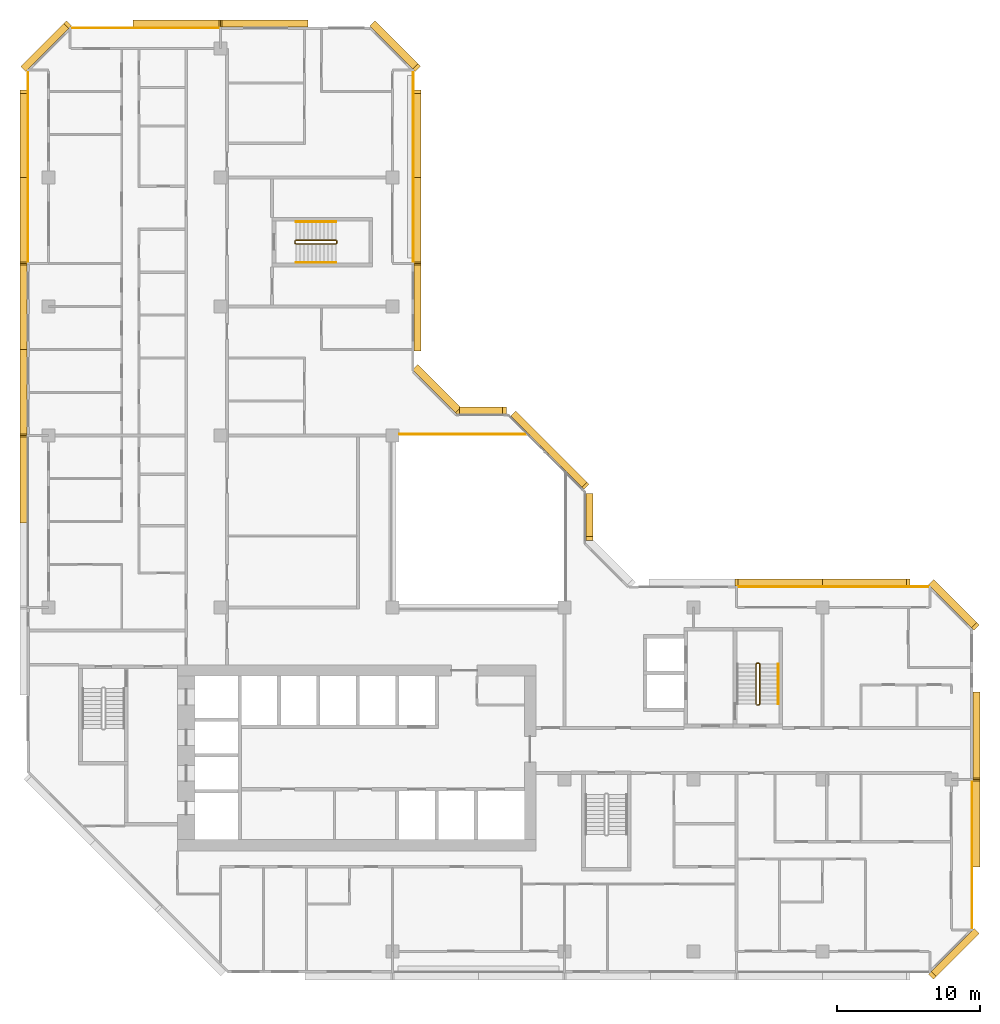
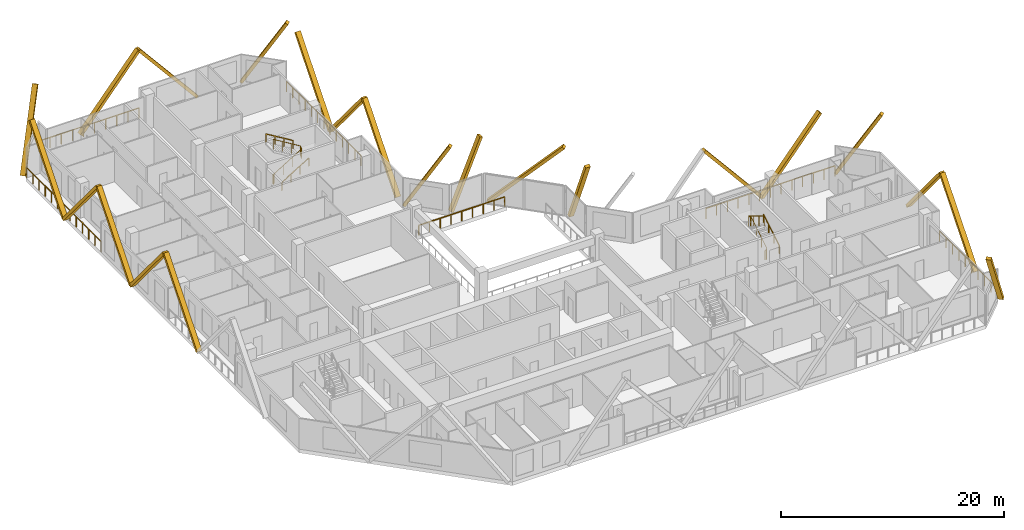
# One storey, part 15 of 15: 22 coverings, 11 railings.
"""IFC4 building model written with IfcOpenShell, lengths in metres."""

import ifcopenshell
import ifcopenshell.guid

model = None  # the IFC model being written
_history = None  # IfcOwnerHistory: only IFC2X3 demands one
_inside = {}  # id of a spatial element -> (the spatial element, [elements in it])
_under = {}  # id of a project, library or spatial element -> (it, [spatial elements below it])
_declared = {}  # id of a project -> (the project, [libraries it declares])
_typed = {}  # id of a type object -> (the type object, [elements of that type])
_made_of = {}  # id of a material, layer set ... -> (it, [elements and type objects made of it])


def new_model(schema):
    """Start an empty IFC model of exactly this schema.

    Asked for "IFC4X3", IfcOpenShell would pick the latest addendum, in which some entities
    have other attributes; the version numbers below select the first issue.
    IFC2X3 requires an IfcOwnerHistory on every rooted entity: one is made here for all.
    """
    global model, _history
    if schema == "IFC4X3":
        model = ifcopenshell.file(schema_version=(4, 3, 0, 0))
    else:
        model = ifcopenshell.file(schema=schema)
    _inside.clear()
    _under.clear()
    _declared.clear()
    _typed.clear()
    _made_of.clear()
    _history = None
    if model.schema == "IFC2X3":
        org = make("IfcOrganization", Name="unknown")
        user = make(
            "IfcPersonAndOrganization",
            ThePerson=make("IfcPerson", FamilyName="unknown"),
            TheOrganization=org,
        )
        app = make(
            "IfcApplication",
            ApplicationDeveloper=org,
            Version="unknown",
            ApplicationFullName="unknown",
            ApplicationIdentifier="unknown",
        )
        _history = make(
            "IfcOwnerHistory",
            OwningUser=user,
            OwningApplication=app,
            ChangeAction="ADDED",
            CreationDate=0,
        )
    return model


def make(cls, **values):
    """One entity of the class cls with the attributes given. An attribute that is None is left unset."""
    return model.create_entity(
        cls, **{name: value for name, value in values.items() if value is not None}
    )


def rooted(cls, **values):
    """An entity with a GlobalId (a new one), such as an element, a storey or a relation."""
    return make(cls, GlobalId=ifcopenshell.guid.new(), OwnerHistory=_history, **values)


def si_unit(unit_type, name, prefix=None):
    """IfcSIUnit, for example si_unit("LENGTHUNIT", "METRE", prefix="MILLI")."""
    return make("IfcSIUnit", UnitType=unit_type, Prefix=prefix, Name=name)


def assignment(units):
    """IfcUnitAssignment: the units of a project."""
    return None if units is None else make("IfcUnitAssignment", Units=units)


def point(xyz):
    """IfcCartesianPoint."""
    return None if xyz is None else make("IfcCartesianPoint", Coordinates=xyz)


def direction(xyz):
    """IfcDirection."""
    return None if xyz is None else make("IfcDirection", DirectionRatios=xyz)


def frame(location, z_axis=None, x_axis=None):
    """IfcAxis2Placement3D, a coordinate frame: its origin and axes. An axis left out is left unset."""
    return make(
        "IfcAxis2Placement3D",
        Location=point(location),
        Axis=direction(z_axis),
        RefDirection=direction(x_axis),
    )


def frame_2d(location, x_axis=None):
    """IfcAxis2Placement2D, a coordinate frame in the plane: its origin and x axis."""
    return make(
        "IfcAxis2Placement2D", Location=point(location), RefDirection=direction(x_axis)
    )


def origin():
    """The frame at (0, 0, 0) with its axes left unset."""
    return frame((0.0, 0.0, 0.0))


def origin_2d():
    """The frame at (0, 0) in the plane with its x axis left unset."""
    return frame_2d((0.0, 0.0))


def place(relative_to, where):
    """IfcLocalPlacement: puts the frame where relative to a parent placement (None: the world)."""
    return make(
        "IfcLocalPlacement", PlacementRelTo=relative_to, RelativePlacement=where
    )


def context(
    kind, dimensions, precision=None, world=None, true_north=None, identifier=None
):
    """IfcGeometricRepresentationContext, for example the 3D "Model" context."""
    return make(
        "IfcGeometricRepresentationContext",
        ContextIdentifier=identifier,
        ContextType=kind,
        CoordinateSpaceDimension=dimensions,
        Precision=precision,
        WorldCoordinateSystem=world,
        TrueNorth=true_north,
    )


def subcontext(parent, identifier, kind, view, scale=None):
    """IfcGeometricRepresentationSubContext, for example "Body" below "Model"."""
    return make(
        "IfcGeometricRepresentationSubContext",
        ContextIdentifier=identifier,
        ContextType=kind,
        ParentContext=parent,
        TargetScale=scale,
        TargetView=view,
    )


def project(units=None, contexts=None):
    """IfcProject with its units and contexts."""
    return rooted(
        "IfcProject",
        Name="project",
        RepresentationContexts=contexts,
        UnitsInContext=assignment(units),
    )


def spatial(cls, under=None, at=None, **own):
    """A site, building, storey or space (cls), placed at a placement, below another one or the project."""
    s = rooted(cls, ObjectPlacement=at, **own)
    if under is not None:
        _under.setdefault(under.id(), (under, []))[1].append(s)
    return s


def profile(cls, at=None, kind="AREA", **sizes):
    """A parametric profile (cls). Its sizes go by their IFC names, for example OverallWidth=200.0."""
    return make(cls, ProfileType=kind, Position=at, **sizes)


def rectangle(**sizes):
    """IfcRectangleProfileDef."""
    return profile("IfcRectangleProfileDef", **sizes)


def extrude(swept, where, along, depth):
    """IfcExtrudedAreaSolid: the profile swept, set in the frame where, extruded along a direction by depth."""
    return make(
        "IfcExtrudedAreaSolid",
        SweptArea=swept,
        Position=where,
        ExtrudedDirection=direction(along),
        Depth=depth,
    )


def shape(context_of_items, identifier, shape_type, items):
    """IfcShapeRepresentation: the items that make up one representation, for example the "Body"."""
    return make(
        "IfcShapeRepresentation",
        ContextOfItems=context_of_items,
        RepresentationIdentifier=identifier,
        RepresentationType=shape_type,
        Items=items,
    )


def material(Name=None, Category=None):
    """IfcMaterial."""
    return make("IfcMaterial", Name=Name, Category=Category)


def material_profile(
    of_material, cross_section, Name=None, Category=None, Priority=None
):
    """IfcMaterialProfile: a cross section and its material."""
    return make(
        "IfcMaterialProfile",
        Name=Name,
        Material=of_material,
        Profile=cross_section,
        Priority=Priority,
        Category=Category,
    )


def profile_set(profiles, Name=None, composite=None):
    """IfcMaterialProfileSet."""
    return make(
        "IfcMaterialProfileSet",
        Name=Name,
        MaterialProfiles=profiles,
        CompositeProfile=composite,
    )


def made_of(thing, what):
    """Note that an element or type object is made of a material, layer set ...; save() writes the relation."""
    if what is not None:
        _made_of.setdefault(what.id(), (what, []))[1].append(thing)
    return thing


def type_object(cls, material=None, **own):
    """A type object (cls), such as IfcWallType, which elements share."""
    return made_of(rooted(cls, **own), material)


def element(
    cls,
    number,
    at=None,
    inside=None,
    cuts=None,
    type_object=None,
    material=None,
    context=None,
    identifier="Body",
    shape_type=None,
    held_by="IfcProductDefinitionShape",
    body=None,
    shapes=None,
    **own,
):
    """One element of the class cls, such as IfcWall. Its Tag is "e" and its number.

    at: its placement. inside: the storey or other place that contains it. cuts: it is an
    opening in that element (IfcRelVoidsElement). A single representation is given by context,
    identifier, shape_type and body (its items); several are given by shapes. held_by: the class
    of the entity that holds the representations. save() writes the other relations.
    """
    e = rooted(cls, Tag="e%d" % number, ObjectPlacement=at, **own)
    if body is not None:
        shapes = [shape(context, identifier, shape_type, body)]
    if shapes is not None:
        e.Representation = make(held_by, Representations=shapes)
    if inside is not None:
        _inside.setdefault(inside.id(), (inside, []))[1].append(e)
    if cuts is not None:
        rooted(
            "IfcRelVoidsElement", RelatingBuildingElement=cuts, RelatedOpeningElement=e
        )
    if type_object is not None:
        _typed.setdefault(type_object.id(), (type_object, []))[1].append(e)
    return made_of(e, material)


def aggregate(whole, parts):
    """IfcRelAggregates: a whole, such as a stair, and the parts it consists of."""
    return rooted("IfcRelAggregates", RelatingObject=whole, RelatedObjects=parts)


def save(model, path):
    """Write the relations noted so far, then the file.

    IfcRelAggregates (storeys below a building ...), IfcRelContainedInSpatialStructure (elements
    in a storey), IfcRelDefinesByType, IfcRelAssociatesMaterial and IfcRelDeclares: one each for
    every whole, place, type object, material and project.
    """
    for whole, parts in _under.values():
        aggregate(whole, parts)
    for where, things in _inside.values():
        rooted(
            "IfcRelContainedInSpatialStructure",
            RelatedElements=things,
            RelatingStructure=where,
        )
    for kind, things in _typed.values():
        rooted("IfcRelDefinesByType", RelatedObjects=things, RelatingType=kind)
    for what, things in _made_of.values():
        rooted("IfcRelAssociatesMaterial", RelatedObjects=things, RelatingMaterial=what)
    for by, libraries in _declared.values():
        rooted("IfcRelDeclares", RelatingContext=by, RelatedDefinitions=libraries)
    model.write(path)


model = new_model("IFC4")

# Units and contexts
model_context = context("Model", 3, precision=1e-05, world=origin(), true_north=direction((0.0, 1.0)))
body_context = subcontext(model_context, "Body", "Model", "MODEL_VIEW")
ifc_project = project(units=[si_unit("LENGTHUNIT", "METRE"), si_unit("AREAUNIT", "SQUARE_METRE"), si_unit("VOLUMEUNIT", "CUBIC_METRE"), si_unit("PLANEANGLEUNIT", "RADIAN"), si_unit("MASSUNIT", "GRAM", prefix="KILO")], contexts=[model_context])

# Site, building, storey
site_placement = place(None, origin())
site = spatial("IfcSite", under=ifc_project, at=site_placement, CompositionType="ELEMENT")
building_placement = place(site_placement, origin())
building = spatial("IfcBuilding", under=site, at=building_placement, Name="Chenar Terraces", CompositionType="ELEMENT")
storey_placement = place(building_placement, frame((0.0, 0.0, 172.39990234375)))
storey = spatial("IfcBuildingStorey", under=building, at=storey_placement, Name="L39", CompositionType="ELEMENT", Elevation=172.39990234375)

# Railings
ifc_material_1 = material(Name="Powder-coated steel", Category="steel")
railing_type_1 = type_object("IfcRailingType", Name="Guard 1100 steel rail with glass infill", PredefinedType="GUARDRAIL", material=ifc_material_1)
railing_1_placement = place(storey_placement, frame((24.5, 36.10009765625, 0.0)))
element("IfcRailing", 1, at=railing_1_placement, inside=storey, type_object=railing_type_1, Name="Guard L39-2", PredefinedType="GUARDRAIL", context=body_context, shape_type="SweptSolid", body=[
    extrude(rectangle(XDim=0.06005859375, YDim=0.06005859375, at=origin_2d()), frame((0.0, 0.0, 1.070068359375), z_axis=(1.0, 0.0, 0.0), x_axis=(0.0, 1.0, 0.0)), (0.0, 0.0, 1.0), 8.89990234375),
    extrude(rectangle(XDim=0.050048828125, YDim=0.050048828125, at=origin_2d()), origin(), (0.0, 0.0, 1.0), 1.0400390625),
    extrude(rectangle(XDim=0.050048828125, YDim=0.050048828125, at=origin_2d()), frame((1.112548828125, 0.0, 0.0)), (0.0, 0.0, 1.0), 1.0400390625),
    extrude(rectangle(XDim=0.050048828125, YDim=0.050048828125, at=origin_2d()), frame((2.22509765625, 0.0, 0.0)), (0.0, 0.0, 1.0), 1.0400390625),
    extrude(rectangle(XDim=0.050048828125, YDim=0.050048828125, at=origin_2d()), frame((3.33740234375, 0.0, 0.0)), (0.0, 0.0, 1.0), 1.0400390625),
    extrude(rectangle(XDim=0.050048828125, YDim=0.050048828125, at=origin_2d()), frame((4.449951171875, 0.0, 0.0)), (0.0, 0.0, 1.0), 1.0400390625),
    extrude(rectangle(XDim=0.050048828125, YDim=0.050048828125, at=origin_2d()), frame((5.5625, 0.0, 0.0)), (0.0, 0.0, 1.0), 1.0400390625),
    extrude(rectangle(XDim=0.050048828125, YDim=0.050048828125, at=origin_2d()), frame((6.6748046875, 0.0, 0.0)), (0.0, 0.0, 1.0), 1.0400390625),
    extrude(rectangle(XDim=0.050048828125, YDim=0.050048828125, at=origin_2d()), frame((7.787353515625, 0.0, 0.0)), (0.0, 0.0, 1.0), 1.0400390625),
    extrude(rectangle(XDim=0.050048828125, YDim=0.050048828125, at=origin_2d()), frame((8.89990234375, 0.0, 0.0)), (0.0, 0.0, 1.0), 1.0400390625),
])
ifc_material_2 = material(Name="Stainless steel and glass", Category="steel")
railing_type_2 = type_object("IfcRailingType", Name="Loggia guard 1150", PredefinedType="GUARDRAIL", material=ifc_material_2)
railing_2_placement = place(storey_placement, frame((25.449951171875, 48.074951171875, 0.0)))
element("IfcRailing", 2, at=railing_2_placement, inside=storey, type_object=railing_type_2, Name="Loggia guard", PredefinedType="GUARDRAIL", context=body_context, shape_type="SweptSolid", body=[
    extrude(rectangle(XDim=0.048095703125, YDim=0.048095703125, at=origin_2d()), frame((0.0, 0.0, 1.1259765625), z_axis=(0.0, 1.0, 0.0), x_axis=(-1.0, 0.0, 0.0)), (0.0, 0.0, 1.0), 13.35009765625),
    extrude(rectangle(XDim=0.0419921875, YDim=0.0419921875, at=origin_2d()), origin(), (0.0, 0.0, 1.0), 1.101806640625),
    extrude(rectangle(XDim=0.0419921875, YDim=0.0419921875, at=origin_2d()), frame((0.0, 1.112548828125, 0.0)), (0.0, 0.0, 1.0), 1.101806640625),
    extrude(rectangle(XDim=0.0419921875, YDim=0.0419921875, at=origin_2d()), frame((0.0, 2.22509765625, 0.0)), (0.0, 0.0, 1.0), 1.101806640625),
    extrude(rectangle(XDim=0.0419921875, YDim=0.0419921875, at=origin_2d()), frame((0.0, 3.33740234375, 0.0)), (0.0, 0.0, 1.0), 1.101806640625),
    extrude(rectangle(XDim=0.0419921875, YDim=0.0419921875, at=origin_2d()), frame((0.0, 4.449951171875, 0.0)), (0.0, 0.0, 1.0), 1.101806640625),
    extrude(rectangle(XDim=0.0419921875, YDim=0.0419921875, at=origin_2d()), frame((0.0, 5.5625, 0.0)), (0.0, 0.0, 1.0), 1.101806640625),
    extrude(rectangle(XDim=0.0419921875, YDim=0.0419921875, at=origin_2d()), frame((0.0, 6.675048828125, 0.0)), (0.0, 0.0, 1.0), 1.101806640625),
    extrude(rectangle(XDim=0.0419921875, YDim=0.0419921875, at=origin_2d()), frame((0.0, 7.78759765625, 0.0)), (0.0, 0.0, 1.0), 1.101806640625),
    extrude(rectangle(XDim=0.0419921875, YDim=0.0419921875, at=origin_2d()), frame((0.0, 8.900146484375, 0.0)), (0.0, 0.0, 1.0), 1.101806640625),
    extrude(rectangle(XDim=0.0419921875, YDim=0.0419921875, at=origin_2d()), frame((0.0, 10.0126953125, 0.0)), (0.0, 0.0, 1.0), 1.101806640625),
    extrude(rectangle(XDim=0.0419921875, YDim=0.0419921875, at=origin_2d()), frame((0.0, 11.125, 0.0)), (0.0, 0.0, 1.0), 1.101806640625),
    extrude(rectangle(XDim=0.0419921875, YDim=0.0419921875, at=origin_2d()), frame((0.0, 12.237548828125, 0.0)), (0.0, 0.0, 1.0), 1.101806640625),
    extrude(rectangle(XDim=0.0419921875, YDim=0.0419921875, at=origin_2d()), frame((0.0, 13.35009765625, 0.0)), (0.0, 0.0, 1.0), 1.101806640625),
])
railing_3_placement = place(storey_placement, frame((64.449951171875, 1.574951171875, 0.0)))
element("IfcRailing", 3, at=railing_3_placement, inside=storey, type_object=railing_type_2, Name="Loggia guard", PredefinedType="GUARDRAIL", context=body_context, shape_type="SweptSolid", body=[
    extrude(rectangle(XDim=0.048095703125, YDim=0.048095703125, at=origin_2d()), frame((0.0, 0.0, 1.1259765625), z_axis=(0.0, 1.0, 0.0), x_axis=(-1.0, 0.0, 0.0)), (0.0, 0.0, 1.0), 10.35009765625),
    extrude(rectangle(XDim=0.0419921875, YDim=0.0419921875, at=origin_2d()), origin(), (0.0, 0.0, 1.0), 1.101806640625),
    extrude(rectangle(XDim=0.0419921875, YDim=0.0419921875, at=origin_2d()), frame((0.0, 1.14990234375, 0.0)), (0.0, 0.0, 1.0), 1.101806640625),
    extrude(rectangle(XDim=0.0419921875, YDim=0.0419921875, at=origin_2d()), frame((0.0, 2.300048828125, 0.0)), (0.0, 0.0, 1.0), 1.101806640625),
    extrude(rectangle(XDim=0.0419921875, YDim=0.0419921875, at=origin_2d()), frame((0.0, 3.449951171875, 0.0)), (0.0, 0.0, 1.0), 1.101806640625),
    extrude(rectangle(XDim=0.0419921875, YDim=0.0419921875, at=origin_2d()), frame((0.0, 4.60009765625, 0.0)), (0.0, 0.0, 1.0), 1.101806640625),
    extrude(rectangle(XDim=0.0419921875, YDim=0.0419921875, at=origin_2d()), frame((0.0, 5.75, 0.0)), (0.0, 0.0, 1.0), 1.101806640625),
    extrude(rectangle(XDim=0.0419921875, YDim=0.0419921875, at=origin_2d()), frame((0.0, 6.900146484375, 0.0)), (0.0, 0.0, 1.0), 1.101806640625),
    extrude(rectangle(XDim=0.0419921875, YDim=0.0419921875, at=origin_2d()), frame((0.0, 8.050048828125, 0.0)), (0.0, 0.0, 1.0), 1.101806640625),
    extrude(rectangle(XDim=0.0419921875, YDim=0.0419921875, at=origin_2d()), frame((0.0, 9.2001953125, 0.0)), (0.0, 0.0, 1.0), 1.101806640625),
    extrude(rectangle(XDim=0.0419921875, YDim=0.0419921875, at=origin_2d()), frame((0.0, 10.35009765625, 0.0)), (0.0, 0.0, 1.0), 1.101806640625),
])
railing_4_placement = place(storey_placement, frame((61.425048828125, 25.449951171875, 0.0)))
element("IfcRailing", 4, at=railing_4_placement, inside=storey, type_object=railing_type_2, Name="Loggia guard", PredefinedType="GUARDRAIL", context=body_context, shape_type="SweptSolid", body=[
    extrude(rectangle(XDim=0.048095703125, YDim=0.048095703125, at=origin_2d()), frame((0.0, 0.0, 1.1259765625), z_axis=(-1.0, 0.0, 0.0), x_axis=(0.0, -1.0, 0.0)), (0.0, 0.0, 1.0), 13.35009765625),
    extrude(rectangle(XDim=0.0419921875, YDim=0.0419921875, at=origin_2d()), origin(), (0.0, 0.0, 1.0), 1.101806640625),
    extrude(rectangle(XDim=0.0419921875, YDim=0.0419921875, at=origin_2d()), frame((-1.112548828125, 0.0, 0.0)), (0.0, 0.0, 1.0), 1.101806640625),
    extrude(rectangle(XDim=0.0419921875, YDim=0.0419921875, at=origin_2d()), frame((-2.22509765625, 0.0, 0.0)), (0.0, 0.0, 1.0), 1.101806640625),
    extrude(rectangle(XDim=0.0419921875, YDim=0.0419921875, at=origin_2d()), frame((-3.33740234375, 0.0, 0.0)), (0.0, 0.0, 1.0), 1.101806640625),
    extrude(rectangle(XDim=0.0419921875, YDim=0.0419921875, at=origin_2d()), frame((-4.449951171875, 0.0, 0.0)), (0.0, 0.0, 1.0), 1.101806640625),
    extrude(rectangle(XDim=0.0419921875, YDim=0.0419921875, at=origin_2d()), frame((-5.5625, 0.0, 0.0)), (0.0, 0.0, 1.0), 1.101806640625),
    extrude(rectangle(XDim=0.0419921875, YDim=0.0419921875, at=origin_2d()), frame((-6.675048828125, 0.0, 0.0)), (0.0, 0.0, 1.0), 1.101806640625),
    extrude(rectangle(XDim=0.0419921875, YDim=0.0419921875, at=origin_2d()), frame((-7.78759765625, 0.0, 0.0)), (0.0, 0.0, 1.0), 1.101806640625),
    extrude(rectangle(XDim=0.0419921875, YDim=0.0419921875, at=origin_2d()), frame((-8.900146484375, 0.0, 0.0)), (0.0, 0.0, 1.0), 1.101806640625),
    extrude(rectangle(XDim=0.0419921875, YDim=0.0419921875, at=origin_2d()), frame((-10.0126953125, 0.0, 0.0)), (0.0, 0.0, 1.0), 1.101806640625),
    extrude(rectangle(XDim=0.0419921875, YDim=0.0419921875, at=origin_2d()), frame((-11.125, 0.0, 0.0)), (0.0, 0.0, 1.0), 1.101806640625),
    extrude(rectangle(XDim=0.0419921875, YDim=0.0419921875, at=origin_2d()), frame((-12.237548828125, 0.0, 0.0)), (0.0, 0.0, 1.0), 1.101806640625),
    extrude(rectangle(XDim=0.0419921875, YDim=0.0419921875, at=origin_2d()), frame((-13.35009765625, 0.0, 0.0)), (0.0, 0.0, 1.0), 1.101806640625),
])
railing_5_placement = place(storey_placement, frame((11.925048828125, 64.449951171875, 0.0)))
element("IfcRailing", 5, at=railing_5_placement, inside=storey, type_object=railing_type_2, Name="Loggia guard", PredefinedType="GUARDRAIL", context=body_context, shape_type="SweptSolid", body=[
    extrude(rectangle(XDim=0.048095703125, YDim=0.048095703125, at=origin_2d()), frame((0.0, 0.0, 1.1259765625), z_axis=(-1.0, 0.0, 0.0), x_axis=(0.0, -1.0, 0.0)), (0.0, 0.0, 1.0), 10.35009765625),
    extrude(rectangle(XDim=0.0419921875, YDim=0.0419921875, at=origin_2d()), origin(), (0.0, 0.0, 1.0), 1.101806640625),
    extrude(rectangle(XDim=0.0419921875, YDim=0.0419921875, at=origin_2d()), frame((-1.14990234375, 0.0, 0.0)), (0.0, 0.0, 1.0), 1.101806640625),
    extrude(rectangle(XDim=0.0419921875, YDim=0.0419921875, at=origin_2d()), frame((-2.300048828125, 0.0, 0.0)), (0.0, 0.0, 1.0), 1.101806640625),
    extrude(rectangle(XDim=0.0419921875, YDim=0.0419921875, at=origin_2d()), frame((-3.449951171875, 0.0, 0.0)), (0.0, 0.0, 1.0), 1.101806640625),
    extrude(rectangle(XDim=0.0419921875, YDim=0.0419921875, at=origin_2d()), frame((-4.60009765625, 0.0, 0.0)), (0.0, 0.0, 1.0), 1.101806640625),
    extrude(rectangle(XDim=0.0419921875, YDim=0.0419921875, at=origin_2d()), frame((-5.75, 0.0, 0.0)), (0.0, 0.0, 1.0), 1.101806640625),
    extrude(rectangle(XDim=0.0419921875, YDim=0.0419921875, at=origin_2d()), frame((-6.900146484375, 0.0, 0.0)), (0.0, 0.0, 1.0), 1.101806640625),
    extrude(rectangle(XDim=0.0419921875, YDim=0.0419921875, at=origin_2d()), frame((-8.050048828125, 0.0, 0.0)), (0.0, 0.0, 1.0), 1.101806640625),
    extrude(rectangle(XDim=0.0419921875, YDim=0.0419921875, at=origin_2d()), frame((-9.2001953125, 0.0, 0.0)), (0.0, 0.0, 1.0), 1.101806640625),
    extrude(rectangle(XDim=0.0419921875, YDim=0.0419921875, at=origin_2d()), frame((-10.35009765625, 0.0, 0.0)), (0.0, 0.0, 1.0), 1.101806640625),
])
railing_6_placement = place(storey_placement, frame((-1.449951171875, 61.425048828125, 0.0)))
element("IfcRailing", 6, at=railing_6_placement, inside=storey, type_object=railing_type_2, Name="Loggia guard", PredefinedType="GUARDRAIL", context=body_context, shape_type="SweptSolid", body=[
    extrude(rectangle(XDim=0.048095703125, YDim=0.048095703125, at=origin_2d()), frame((0.0, 0.0, 1.1259765625), z_axis=(0.0, -1.0, 0.0), x_axis=(1.0, 0.0, 0.0)), (0.0, 0.0, 1.0), 13.35009765625),
    extrude(rectangle(XDim=0.0419921875, YDim=0.0419921875, at=origin_2d()), origin(), (0.0, 0.0, 1.0), 1.101806640625),
    extrude(rectangle(XDim=0.0419921875, YDim=0.0419921875, at=origin_2d()), frame((0.0, -1.112548828125, 0.0)), (0.0, 0.0, 1.0), 1.101806640625),
    extrude(rectangle(XDim=0.0419921875, YDim=0.0419921875, at=origin_2d()), frame((0.0, -2.22509765625, 0.0)), (0.0, 0.0, 1.0), 1.101806640625),
    extrude(rectangle(XDim=0.0419921875, YDim=0.0419921875, at=origin_2d()), frame((0.0, -3.33740234375, 0.0)), (0.0, 0.0, 1.0), 1.101806640625),
    extrude(rectangle(XDim=0.0419921875, YDim=0.0419921875, at=origin_2d()), frame((0.0, -4.449951171875, 0.0)), (0.0, 0.0, 1.0), 1.101806640625),
    extrude(rectangle(XDim=0.0419921875, YDim=0.0419921875, at=origin_2d()), frame((0.0, -5.5625, 0.0)), (0.0, 0.0, 1.0), 1.101806640625),
    extrude(rectangle(XDim=0.0419921875, YDim=0.0419921875, at=origin_2d()), frame((0.0, -6.675048828125, 0.0)), (0.0, 0.0, 1.0), 1.101806640625),
    extrude(rectangle(XDim=0.0419921875, YDim=0.0419921875, at=origin_2d()), frame((0.0, -7.78759765625, 0.0)), (0.0, 0.0, 1.0), 1.101806640625),
    extrude(rectangle(XDim=0.0419921875, YDim=0.0419921875, at=origin_2d()), frame((0.0, -8.900146484375, 0.0)), (0.0, 0.0, 1.0), 1.101806640625),
    extrude(rectangle(XDim=0.0419921875, YDim=0.0419921875, at=origin_2d()), frame((0.0, -10.0126953125, 0.0)), (0.0, 0.0, 1.0), 1.101806640625),
    extrude(rectangle(XDim=0.0419921875, YDim=0.0419921875, at=origin_2d()), frame((0.0, -11.125, 0.0)), (0.0, 0.0, 1.0), 1.101806640625),
    extrude(rectangle(XDim=0.0419921875, YDim=0.0419921875, at=origin_2d()), frame((0.0, -12.237548828125, 0.0)), (0.0, 0.0, 1.0), 1.101806640625),
    extrude(rectangle(XDim=0.0419921875, YDim=0.0419921875, at=origin_2d()), frame((0.0, -13.35009765625, 0.0)), (0.0, 0.0, 1.0), 1.101806640625),
])
ifc_material_3 = material(Name="Powder-coated steel", Category="steel")
railing_type_3 = type_object("IfcRailingType", Name="Stair guard 1100", PredefinedType="GUARDRAIL", material=ifc_material_3)
railing_7_placement = place(storey_placement, frame((49.375, 17.25, 3.75)))
element("IfcRailing", 7, at=railing_7_placement, inside=storey, type_object=railing_type_3, Name="L39 ST3 stair guard 1", PredefinedType="GUARDRAIL", context=body_context, shape_type="SweptSolid", body=[
    extrude(rectangle(XDim=0.048095703125, YDim=0.048095703125, at=origin_2d()), frame((0.0, 0.0, 1.076171875), z_axis=(0.0, 0.854202870247, -0.519939858505), x_axis=(-1.0, 0.0, 0.0)), (0.0, 0.0, 1.0), 3.278076171875),
    extrude(rectangle(XDim=0.048095703125, YDim=0.048095703125, at=origin_2d()), frame((0.0, 2.800048828125, -0.62841796875), z_axis=(0.270899902878, 0.270899902878, -0.923702595667), x_axis=(-0.707106781187, 0.707106781187, 0.0)), (0.0, 0.0, 1.0), 0.184814453125),
    extrude(rectangle(XDim=0.048095703125, YDim=0.048095703125, at=origin_2d()), frame((0.050048828125, 2.85009765625, -0.798828125), z_axis=(1.0, 0.0, 0.0), x_axis=(0.0, 1.0, 0.0)), (0.0, 0.0, 1.0), 0.14990234375),
    extrude(rectangle(XDim=0.048095703125, YDim=0.048095703125, at=origin_2d()), frame((0.199951171875, 2.85009765625, -0.798828125), z_axis=(0.707106781187, -0.707106781187, 0.0), x_axis=(0.707106781187, 0.707106781187, 0.0)), (0.0, 0.0, 1.0), 0.07080078125),
    extrude(rectangle(XDim=0.048095703125, YDim=0.048095703125, at=origin_2d()), frame((0.25, 2.800048828125, -0.798828125), z_axis=(0.0, -0.854202870247, -0.519939858505), x_axis=(1.0, 0.0, 0.0)), (0.0, 0.0, 1.0), 3.278076171875),
    extrude(rectangle(XDim=0.048095703125, YDim=0.048095703125, at=origin_2d()), frame((0.25, 0.0, -2.50341796875), z_axis=(-0.270899902878, -0.270899902878, -0.923702595667), x_axis=(0.707106781187, -0.707106781187, 0.0)), (0.0, 0.0, 1.0), 0.184814453125),
    extrude(rectangle(XDim=0.048095703125, YDim=0.048095703125, at=origin_2d()), frame((0.199951171875, -0.050048828125, -2.673828125), z_axis=(-1.0, 0.0, 0.0), x_axis=(0.0, -1.0, 0.0)), (0.0, 0.0, 1.0), 0.14990234375),
    extrude(rectangle(XDim=0.0419921875, YDim=0.0419921875, at=origin_2d()), origin(), (0.0, 0.0, 1.0), 1.052001953125),
    extrude(rectangle(XDim=0.0419921875, YDim=0.0419921875, at=origin_2d()), frame((0.0, 0.933349609375, -0.568115234375)), (0.0, 0.0, 1.0), 1.052001953125),
    extrude(rectangle(XDim=0.0419921875, YDim=0.0419921875, at=origin_2d()), frame((0.0, 1.86669921875, -1.13623046875)), (0.0, 0.0, 1.0), 1.052001953125),
    extrude(rectangle(XDim=0.0419921875, YDim=0.0419921875, at=origin_2d()), frame((0.0, 2.800048828125, -1.704345703125)), (0.0, 0.0, 1.0), 1.052001953125),
    extrude(rectangle(XDim=0.0419921875, YDim=0.0419921875, at=origin_2d()), frame((0.050048828125, 2.85009765625, -1.875)), (0.0, 0.0, 1.0), 1.052001953125),
    extrude(rectangle(XDim=0.0419921875, YDim=0.0419921875, at=origin_2d()), frame((0.199951171875, 2.85009765625, -1.875)), (0.0, 0.0, 1.0), 1.052001953125),
    extrude(rectangle(XDim=0.0419921875, YDim=0.0419921875, at=origin_2d()), frame((0.25, 2.800048828125, -1.875)), (0.0, 0.0, 1.0), 1.052001953125),
    extrude(rectangle(XDim=0.0419921875, YDim=0.0419921875, at=origin_2d()), frame((0.25, 1.86669921875, -2.443115234375)), (0.0, 0.0, 1.0), 1.052001953125),
    extrude(rectangle(XDim=0.0419921875, YDim=0.0419921875, at=origin_2d()), frame((0.25, 0.933349609375, -3.01123046875)), (0.0, 0.0, 1.0), 1.052001953125),
    extrude(rectangle(XDim=0.0419921875, YDim=0.0419921875, at=origin_2d()), frame((0.25, 0.0, -3.579345703125)), (0.0, 0.0, 1.0), 1.052001953125),
    extrude(rectangle(XDim=0.0419921875, YDim=0.0419921875, at=origin_2d()), frame((0.199951171875, -0.050048828125, -3.75)), (0.0, 0.0, 1.0), 1.052001953125),
    extrude(rectangle(XDim=0.0419921875, YDim=0.0419921875, at=origin_2d()), frame((0.050048828125, -0.050048828125, -3.75)), (0.0, 0.0, 1.0), 1.052001953125),
])
railing_8_placement = place(storey_placement, frame((17.25, 49.625, 3.75)))
element("IfcRailing", 8, at=railing_8_placement, inside=storey, type_object=railing_type_3, Name="L39 ST4 stair guard 1", PredefinedType="GUARDRAIL", context=body_context, shape_type="SweptSolid", body=[
    extrude(rectangle(XDim=0.048095703125, YDim=0.048095703125, at=origin_2d()), frame((0.0, 0.0, 1.076171875), z_axis=(0.854202870247, 0.0, -0.519939858505), x_axis=(0.0, 1.0, 0.0)), (0.0, 0.0, 1.0), 3.278076171875),
    extrude(rectangle(XDim=0.048095703125, YDim=0.048095703125, at=origin_2d()), frame((2.800048828125, 0.0, -0.62841796875), z_axis=(0.270899902878, -0.270899902878, -0.923702595667), x_axis=(0.707106781187, 0.707106781187, 0.0)), (0.0, 0.0, 1.0), 0.184814453125),
    extrude(rectangle(XDim=0.048095703125, YDim=0.048095703125, at=origin_2d()), frame((2.85009765625, -0.050048828125, -0.798828125), z_axis=(0.0, -1.0, 0.0), x_axis=(1.0, 0.0, 0.0)), (0.0, 0.0, 1.0), 0.14990234375),
    extrude(rectangle(XDim=0.048095703125, YDim=0.048095703125, at=origin_2d()), frame((2.85009765625, -0.199951171875, -0.798828125), z_axis=(-0.707106781187, -0.707106781187, 0.0), x_axis=(0.707106781187, -0.707106781187, 0.0)), (0.0, 0.0, 1.0), 0.07080078125),
    extrude(rectangle(XDim=0.048095703125, YDim=0.048095703125, at=origin_2d()), frame((2.800048828125, -0.25, -0.798828125), z_axis=(-0.854202870247, 0.0, -0.519939858505), x_axis=(0.0, -1.0, 0.0)), (0.0, 0.0, 1.0), 3.278076171875),
    extrude(rectangle(XDim=0.048095703125, YDim=0.048095703125, at=origin_2d()), frame((0.0, -0.25, -2.50341796875), z_axis=(-0.270899902878, 0.270899902878, -0.923702595667), x_axis=(-0.707106781187, -0.707106781187, 0.0)), (0.0, 0.0, 1.0), 0.184814453125),
    extrude(rectangle(XDim=0.048095703125, YDim=0.048095703125, at=origin_2d()), frame((-0.050048828125, -0.199951171875, -2.673828125), z_axis=(0.0, 1.0, 0.0), x_axis=(-1.0, 0.0, 0.0)), (0.0, 0.0, 1.0), 0.14990234375),
    extrude(rectangle(XDim=0.0419921875, YDim=0.0419921875, at=origin_2d()), origin(), (0.0, 0.0, 1.0), 1.052001953125),
    extrude(rectangle(XDim=0.0419921875, YDim=0.0419921875, at=origin_2d()), frame((0.933349609375, 0.0, -0.568115234375)), (0.0, 0.0, 1.0), 1.052001953125),
    extrude(rectangle(XDim=0.0419921875, YDim=0.0419921875, at=origin_2d()), frame((1.86669921875, 0.0, -1.13623046875)), (0.0, 0.0, 1.0), 1.052001953125),
    extrude(rectangle(XDim=0.0419921875, YDim=0.0419921875, at=origin_2d()), frame((2.800048828125, 0.0, -1.704345703125)), (0.0, 0.0, 1.0), 1.052001953125),
    extrude(rectangle(XDim=0.0419921875, YDim=0.0419921875, at=origin_2d()), frame((2.85009765625, -0.050048828125, -1.875)), (0.0, 0.0, 1.0), 1.052001953125),
    extrude(rectangle(XDim=0.0419921875, YDim=0.0419921875, at=origin_2d()), frame((2.85009765625, -0.199951171875, -1.875)), (0.0, 0.0, 1.0), 1.052001953125),
    extrude(rectangle(XDim=0.0419921875, YDim=0.0419921875, at=origin_2d()), frame((2.800048828125, -0.25, -1.875)), (0.0, 0.0, 1.0), 1.052001953125),
    extrude(rectangle(XDim=0.0419921875, YDim=0.0419921875, at=origin_2d()), frame((1.86669921875, -0.25, -2.443115234375)), (0.0, 0.0, 1.0), 1.052001953125),
    extrude(rectangle(XDim=0.0419921875, YDim=0.0419921875, at=origin_2d()), frame((0.933349609375, -0.25, -3.01123046875)), (0.0, 0.0, 1.0), 1.052001953125),
    extrude(rectangle(XDim=0.0419921875, YDim=0.0419921875, at=origin_2d()), frame((0.0, -0.25, -3.579345703125)), (0.0, 0.0, 1.0), 1.052001953125),
    extrude(rectangle(XDim=0.0419921875, YDim=0.0419921875, at=origin_2d()), frame((-0.050048828125, -0.199951171875, -3.75)), (0.0, 0.0, 1.0), 1.052001953125),
    extrude(rectangle(XDim=0.0419921875, YDim=0.0419921875, at=origin_2d()), frame((-0.050048828125, -0.050048828125, -3.75)), (0.0, 0.0, 1.0), 1.052001953125),
])
ifc_material_4 = material(Name="Powder-coated steel", Category="steel")
railing_type_4 = type_object("IfcRailingType", Name="Stair handrail 900", PredefinedType="HANDRAIL", material=ifc_material_4)
railing_9_placement = place(storey_placement, frame((50.925048828125, 17.25, 0.170654296875)))
element("IfcRailing", 9, at=railing_9_placement, inside=storey, type_object=railing_type_4, Name="L39 ST3 stair handrail 1", PredefinedType="HANDRAIL", context=body_context, shape_type="SweptSolid", body=[
    extrude(rectangle(XDim=0.048095703125, YDim=0.048095703125, at=origin_2d()), frame((0.0, 0.0, 0.8759765625), z_axis=(0.0, 0.854202870247, 0.519939858505), x_axis=(-1.0, 0.0, 0.0)), (0.0, 0.0, 1.0), 3.278076171875),
    extrude(rectangle(XDim=0.0419921875, YDim=0.0419921875, at=origin_2d()), origin(), (0.0, 0.0, 1.0), 0.851806640625),
    extrude(rectangle(XDim=0.0419921875, YDim=0.0419921875, at=origin_2d()), frame((0.0, 0.933349609375, 0.568115234375)), (0.0, 0.0, 1.0), 0.851806640625),
    extrude(rectangle(XDim=0.0419921875, YDim=0.0419921875, at=origin_2d()), frame((0.0, 1.86669921875, 1.13623046875)), (0.0, 0.0, 1.0), 0.851806640625),
    extrude(rectangle(XDim=0.0419921875, YDim=0.0419921875, at=origin_2d()), frame((0.0, 2.800048828125, 1.704345703125)), (0.0, 0.0, 1.0), 0.851806640625),
])
railing_10_placement = place(storey_placement, frame((17.25, 48.074951171875, 0.170654296875)))
element("IfcRailing", 10, at=railing_10_placement, inside=storey, type_object=railing_type_4, Name="L39 ST4 stair handrail 1", PredefinedType="HANDRAIL", context=body_context, shape_type="SweptSolid", body=[
    extrude(rectangle(XDim=0.048095703125, YDim=0.048095703125, at=origin_2d()), frame((0.0, 0.0, 0.8759765625), z_axis=(0.854202870247, 0.0, 0.519939858505), x_axis=(0.0, 1.0, 0.0)), (0.0, 0.0, 1.0), 3.278076171875),
    extrude(rectangle(XDim=0.0419921875, YDim=0.0419921875, at=origin_2d()), origin(), (0.0, 0.0, 1.0), 0.851806640625),
    extrude(rectangle(XDim=0.0419921875, YDim=0.0419921875, at=origin_2d()), frame((0.933349609375, 0.0, 0.568115234375)), (0.0, 0.0, 1.0), 0.851806640625),
    extrude(rectangle(XDim=0.0419921875, YDim=0.0419921875, at=origin_2d()), frame((1.86669921875, 0.0, 1.13623046875)), (0.0, 0.0, 1.0), 0.851806640625),
    extrude(rectangle(XDim=0.0419921875, YDim=0.0419921875, at=origin_2d()), frame((2.800048828125, 0.0, 1.704345703125)), (0.0, 0.0, 1.0), 0.851806640625),
])
railing_11_placement = place(storey_placement, frame((20.050048828125, 50.925048828125, 2.045654296875)))
element("IfcRailing", 11, at=railing_11_placement, inside=storey, type_object=railing_type_4, Name="L39 ST4 stair handrail 2", PredefinedType="HANDRAIL", context=body_context, shape_type="SweptSolid", body=[
    extrude(rectangle(XDim=0.048095703125, YDim=0.048095703125, at=origin_2d()), frame((0.0, 0.0, 0.8759765625), z_axis=(-0.854202870247, 0.0, 0.519939858505), x_axis=(0.0, -1.0, 0.0)), (0.0, 0.0, 1.0), 3.278076171875),
    extrude(rectangle(XDim=0.0419921875, YDim=0.0419921875, at=origin_2d()), origin(), (0.0, 0.0, 1.0), 0.851806640625),
    extrude(rectangle(XDim=0.0419921875, YDim=0.0419921875, at=origin_2d()), frame((-0.933349609375, 0.0, 0.568115234375)), (0.0, 0.0, 1.0), 0.851806640625),
    extrude(rectangle(XDim=0.0419921875, YDim=0.0419921875, at=origin_2d()), frame((-1.86669921875, 0.0, 1.13623046875)), (0.0, 0.0, 1.0), 0.851806640625),
    extrude(rectangle(XDim=0.0419921875, YDim=0.0419921875, at=origin_2d()), frame((-2.800048828125, 0.0, 1.704345703125)), (0.0, 0.0, 1.0), 0.851806640625),
])

# Coverings
ifc_material_5 = material(Name="Terracotta", Category="masonry")
ifc_material_profile = material_profile(ifc_material_5, rectangle(XDim=0.5, YDim=0.300048828125, at=origin_2d()), Name="Terracotta baguette 500 x 300")
ifc_profile_set = profile_set([ifc_material_profile], Name="Terracotta")
covering_type = type_object("IfcCoveringType", Name="Terracotta baguette 500 x 300", PredefinedType="CLADDING", material=ifc_profile_set)
for number, where, z_axis, x_axis, name in (
    (12, (60.0, 25.75, 7.35009765625), (-0.640186961885, 0.0, -0.768219144407), (0.0, -1.0, 0.0), "Terracotta baguette"),
    (13, (54.0, 25.75, 0.150146484375), (-0.640186961885, 0.0, 0.768219144407), (0.0, -1.0, 0.0), "Terracotta baguette"),
):
    element("IfcCovering", number, at=place(storey_placement, frame(where, z_axis=z_axis, x_axis=x_axis)), inside=storey, type_object=covering_type, Name=name, PredefinedType="CLADDING", context=body_context, shape_type="SweptSolid", body=[
        extrude(rectangle(XDim=0.5, YDim=0.300048828125, at=origin_2d()), origin(), (0.0, 0.0, 1.0), 9.372314453125),
    ])
covering_1_placement = place(storey_placement, frame((37.75, 28.800048828125, 7.35009765625), z_axis=(0.0, 0.384617607118, -0.923075997031), x_axis=(-1.0, 0.0, 0.0)))
element("IfcCovering", 14, at=covering_1_placement, inside=storey, type_object=covering_type, Name="Terracotta baguette", PredefinedType="CLADDING", context=body_context, shape_type="SweptSolid", body=[
    extrude(rectangle(XDim=0.5, YDim=0.300048828125, at=origin_2d()), origin(), (0.0, 0.0, 1.0), 7.800048828125),
])
covering_2_placement = place(storey_placement, frame((37.464599609375, 32.489013671875, 7.35009765625), z_axis=(-0.4942466441, 0.494222393737, -0.715167449151), x_axis=(-0.707089433343, -0.707124128605, 0.0)))
element("IfcCovering", 15, at=covering_2_placement, inside=storey, type_object=covering_type, Name="Terracotta baguette", PredefinedType="CLADDING", context=body_context, shape_type="SweptSolid", body=[
    extrude(rectangle(XDim=0.5, YDim=0.300048828125, at=origin_2d()), origin(), (0.0, 0.0, 1.0), 10.0673828125),
])
covering_3_placement = place(storey_placement, frame((31.800048828125, 37.75, 7.35009765625), z_axis=(-0.384617607118, 0.0, -0.923075997031), x_axis=(0.0, -1.0, 0.0)))
element("IfcCovering", 16, at=covering_3_placement, inside=storey, type_object=covering_type, Name="Terracotta baguette", PredefinedType="CLADDING", context=body_context, shape_type="SweptSolid", body=[
    extrude(rectangle(XDim=0.5, YDim=0.300048828125, at=origin_2d()), origin(), (0.0, 0.0, 1.0), 7.800048828125),
])
covering_4_placement = place(storey_placement, frame((28.6767578125, 37.6767578125, 7.35009765625), z_axis=(-0.358980886355, 0.358980886355, -0.861548284464), x_axis=(-0.707106781187, -0.707106781187, 0.0)))
element("IfcCovering", 17, at=covering_4_placement, inside=storey, type_object=covering_type, Name="Terracotta baguette", PredefinedType="CLADDING", context=body_context, shape_type="SweptSolid", body=[
    extrude(rectangle(XDim=0.5, YDim=0.300048828125, at=origin_2d()), origin(), (0.0, 0.0, 1.0), 8.35693359375),
])
for number, where, z_axis, x_axis, name in (
    (18, (25.75, 42.0, 0.150146484375), (0.0, 0.640186961885, 0.768219144407), (-1.0, 0.0, 0.0), "Terracotta baguette"),
    (19, (25.75, 48.0, 7.35009765625), (0.0, 0.640186961885, -0.768219144407), (-1.0, 0.0, 0.0), "Terracotta baguette"),
    (20, (25.75, 54.0, 0.150146484375), (0.0, 0.640186961885, 0.768219144407), (-1.0, 0.0, 0.0), "Terracotta baguette"),
):
    element("IfcCovering", number, at=place(storey_placement, frame(where, z_axis=z_axis, x_axis=x_axis)), inside=storey, type_object=covering_type, Name=name, PredefinedType="CLADDING", context=body_context, shape_type="SweptSolid", body=[
        extrude(rectangle(XDim=0.5, YDim=0.300048828125, at=origin_2d()), origin(), (0.0, 0.0, 1.0), 9.372314453125),
    ])
covering_5_placement = place(storey_placement, frame((25.6767578125, 61.6767578125, 7.35009765625), z_axis=(-0.358980886355, 0.358980886355, -0.861548284464), x_axis=(-0.707106781187, -0.707106781187, 0.0)))
element("IfcCovering", 21, at=covering_5_placement, inside=storey, type_object=covering_type, Name="Terracotta baguette", PredefinedType="CLADDING", context=body_context, shape_type="SweptSolid", body=[
    extrude(rectangle(XDim=0.5, YDim=0.300048828125, at=origin_2d()), origin(), (0.0, 0.0, 1.0), 8.35693359375),
])
for number, where, z_axis, x_axis, name in (
    (22, (18.0, 64.75, 0.150146484375), (-0.640186961885, 0.0, 0.768219144407), (0.0, -1.0, 0.0), "Terracotta baguette"),
    (23, (12.0, 64.75, 7.35009765625), (-0.640186961885, 0.0, -0.768219144407), (0.0, -1.0, 0.0), "Terracotta baguette"),
):
    element("IfcCovering", number, at=place(storey_placement, frame(where, z_axis=z_axis, x_axis=x_axis)), inside=storey, type_object=covering_type, Name=name, PredefinedType="CLADDING", context=body_context, shape_type="SweptSolid", body=[
        extrude(rectangle(XDim=0.5, YDim=0.300048828125, at=origin_2d()), origin(), (0.0, 0.0, 1.0), 9.372314453125),
    ])
covering_6_placement = place(storey_placement, frame((1.3232421875, 64.6767578125, 7.35009765625), z_axis=(-0.358980886355, -0.358980886355, -0.861548284464), x_axis=(0.707106781187, -0.707106781187, 0.0)))
element("IfcCovering", 24, at=covering_6_placement, inside=storey, type_object=covering_type, Name="Terracotta baguette", PredefinedType="CLADDING", context=body_context, shape_type="SweptSolid", body=[
    extrude(rectangle(XDim=0.5, YDim=0.300048828125, at=origin_2d()), origin(), (0.0, 0.0, 1.0), 8.35693359375),
])
for number, where, z_axis, x_axis, name in (
    (25, (-1.75, 60.0, 7.35009765625), (0.0, -0.640186961885, -0.768219144407), (1.0, 0.0, 0.0), "Terracotta baguette"),
    (26, (-1.75, 54.0, 0.150146484375), (0.0, -0.640186961885, 0.768219144407), (1.0, 0.0, 0.0), "Terracotta baguette"),
    (27, (-1.75, 48.0, 7.35009765625), (0.0, -0.640186961885, -0.768219144407), (1.0, 0.0, 0.0), "Terracotta baguette"),
    (28, (-1.75, 42.0, 0.150146484375), (0.0, -0.640186961885, 0.768219144407), (1.0, 0.0, 0.0), "Terracotta baguette"),
    (29, (-1.75, 36.0, 7.35009765625), (0.0, -0.640186961885, -0.768219144407), (1.0, 0.0, 0.0), "Terracotta baguette"),
):
    element("IfcCovering", number, at=place(storey_placement, frame(where, z_axis=z_axis, x_axis=x_axis)), inside=storey, type_object=covering_type, Name=name, PredefinedType="CLADDING", context=body_context, shape_type="SweptSolid", body=[
        extrude(rectangle(XDim=0.5, YDim=0.300048828125, at=origin_2d()), origin(), (0.0, 0.0, 1.0), 9.372314453125),
    ])
covering_7_placement = place(storey_placement, frame((61.6767578125, -1.6767578125, 7.35009765625), z_axis=(0.358980886355, 0.358980886355, -0.861548284464), x_axis=(-0.707106781187, 0.707106781187, 0.0)))
element("IfcCovering", 30, at=covering_7_placement, inside=storey, type_object=covering_type, Name="Terracotta baguette", PredefinedType="CLADDING", context=body_context, shape_type="SweptSolid", body=[
    extrude(rectangle(XDim=0.5, YDim=0.300048828125, at=origin_2d()), origin(), (0.0, 0.0, 1.0), 8.35693359375),
])
for number, where, z_axis, x_axis, name in (
    (31, (64.75, 6.0, 0.150146484375), (0.0, 0.640186961885, 0.768219144407), (-1.0, 0.0, 0.0), "Terracotta baguette"),
    (32, (64.75, 12.0, 7.35009765625), (0.0, 0.640186961885, -0.768219144407), (-1.0, 0.0, 0.0), "Terracotta baguette"),
):
    element("IfcCovering", number, at=place(storey_placement, frame(where, z_axis=z_axis, x_axis=x_axis)), inside=storey, type_object=covering_type, Name=name, PredefinedType="CLADDING", context=body_context, shape_type="SweptSolid", body=[
        extrude(rectangle(XDim=0.5, YDim=0.300048828125, at=origin_2d()), origin(), (0.0, 0.0, 1.0), 9.372314453125),
    ])
covering_8_placement = place(storey_placement, frame((64.6767578125, 22.6767578125, 7.35009765625), z_axis=(-0.358980886355, 0.358980886355, -0.861548284464), x_axis=(-0.707106781187, -0.707106781187, 0.0)))
element("IfcCovering", 33, at=covering_8_placement, inside=storey, type_object=covering_type, Name="Terracotta baguette", PredefinedType="CLADDING", context=body_context, shape_type="SweptSolid", body=[
    extrude(rectangle(XDim=0.5, YDim=0.300048828125, at=origin_2d()), origin(), (0.0, 0.0, 1.0), 8.35693359375),
])

save(model, "model.ifc")
